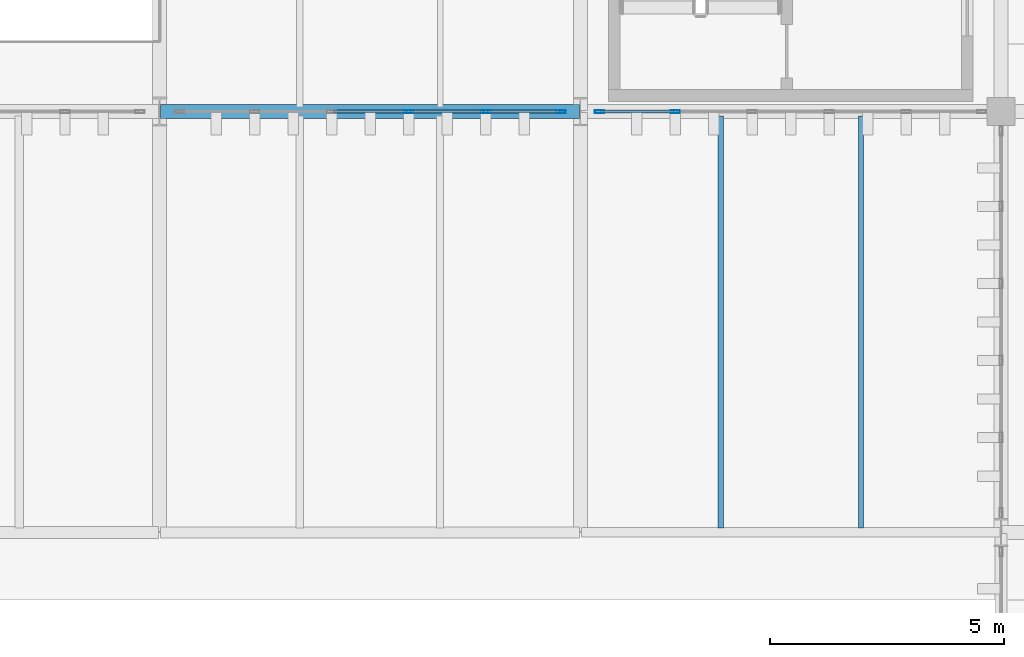
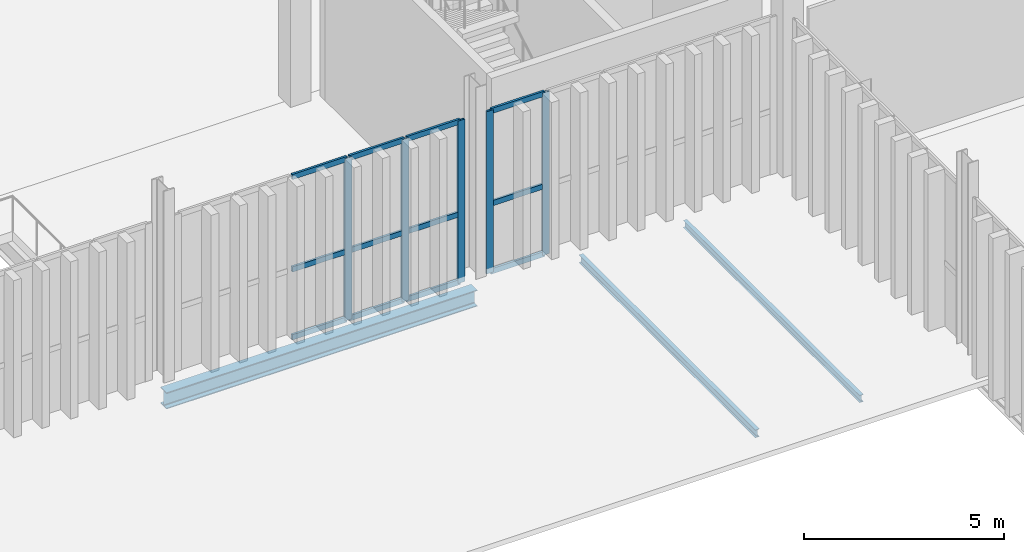
# One storey, part 70 of 211: 17 members, 3 beams, 2 elements without a shape of their own.
"""IFC4 building model written with IfcOpenShell, lengths in metres."""

from ifc_helpers import new_model, si_unit, direction, frame, origin, origin_2d, place, context, subcontext, project, spatial, hollow_rectangle, i_section, extrude, material, layer, layer_set, material_profile, profile_set, type_object, element, aggregate, save


model = new_model("IFC4")

# Units and contexts
model_context = context("Model", 3, precision=1e-05, world=origin(), true_north=direction((0.0, 1.0)))
body_context = subcontext(model_context, "Body", "Model", "MODEL_VIEW")
ifc_project = project(units=[si_unit("LENGTHUNIT", "METRE"), si_unit("AREAUNIT", "SQUARE_METRE"), si_unit("VOLUMEUNIT", "CUBIC_METRE"), si_unit("PLANEANGLEUNIT", "RADIAN"), si_unit("MASSUNIT", "GRAM", prefix="KILO")], contexts=[model_context])

# Site, building, storey
site_placement = place(None, origin())
site = spatial("IfcSite", under=ifc_project, at=site_placement, CompositionType="ELEMENT")
building_placement = place(site_placement, origin())
building = spatial("IfcBuilding", under=site, at=building_placement, Name="Barlavento Convention Centre", CompositionType="ELEMENT")
storey_placement = place(building_placement, frame((0.0, 0.0, 6.0)))
storey = spatial("IfcBuildingStorey", under=building, at=storey_placement, Name="L01", CompositionType="ELEMENT", Elevation=6.0)

# Curtain wall, members
ifc_material_1 = material(Name="Powder-coated aluminium and Low-E glass", Category="aluminium")
ifc_layer = layer(ifc_material_1, 0.195068359375)
ifc_layer_set = layer_set([ifc_layer], Name="ARC-CW-FOY-L01")
curtain_wall_type = type_object("IfcCurtainWallType", Name="ARC-CW-FOY-L01", PredefinedType="NOTDEFINED", material=ifc_layer_set)
curtain_wall_1_placement = place(storey_placement, origin())
curtain_wall_1 = element("IfcCurtainWall", 1, at=curtain_wall_1_placement, inside=storey, type_object=curtain_wall_type, Name="L01 unitised curtain wall CW03", PredefinedType="NOTDEFINED")
ifc_material_2 = material(Name="Powder-coated aluminium", Category="aluminium")
ifc_material_profile_1 = material_profile(ifc_material_2, hollow_rectangle(XDim=0.06494140625, YDim=0.199951171875, WallThickness=0.0048828125, at=origin_2d()), Name="AL-MULL 65x200x5")
ifc_profile_set_1 = profile_set([ifc_material_profile_1], Name="Powder-coated aluminium")
member_type_1 = type_object("IfcMemberType", Name="ARC-CWM-65X200", PredefinedType="MULLION", material=ifc_profile_set_1)
member_1_placement = place(storey_placement, frame((113.327880859375, 45.0, 0.0), z_axis=(0.0, 0.0, 1.0), x_axis=(0.0, 1.0, 0.0)))
member_1 = element("IfcMember", 2, at=member_1_placement, type_object=member_type_1, Name="CW03 mullion 4", PredefinedType="MULLION", context=body_context, shape_type="SweptSolid", body=[
    extrude(hollow_rectangle(XDim=0.06494140625, YDim=0.199951171875, WallThickness=0.0048828125, at=origin_2d()), origin(), (0.0, 0.0, 1.0), 4.949951171875),
])
member_2_placement = place(storey_placement, frame((114.97412109375, 45.0, 0.0), z_axis=(0.0, 0.0, 1.0), x_axis=(0.0, 1.0, 0.0)))
member_2 = element("IfcMember", 3, at=member_2_placement, type_object=member_type_1, Name="CW03 mullion 5", PredefinedType="MULLION", context=body_context, shape_type="SweptSolid", body=[
    extrude(hollow_rectangle(XDim=0.06494140625, YDim=0.199951171875, WallThickness=0.0048828125, at=origin_2d()), origin(), (0.0, 0.0, 1.0), 4.949951171875),
])
member_3_placement = place(storey_placement, frame((116.58740234375, 45.0, 0.0), z_axis=(0.0, 0.0, 1.0), x_axis=(0.0, 1.0, 0.0)))
member_3 = element("IfcMember", 4, at=member_3_placement, type_object=member_type_1, Name="CW03 mullion 6", PredefinedType="MULLION", context=body_context, shape_type="SweptSolid", body=[
    extrude(hollow_rectangle(XDim=0.06494140625, YDim=0.199951171875, WallThickness=0.0048828125, at=origin_2d()), origin(), (0.0, 0.0, 1.0), 4.949951171875),
])

curtain_wall_2_placement = place(storey_placement, origin())
curtain_wall_2 = element("IfcCurtainWall", 5, at=curtain_wall_2_placement, inside=storey, type_object=curtain_wall_type, Name="L01 unitised curtain wall CW03", PredefinedType="NOTDEFINED")
member_4_placement = place(storey_placement, frame((117.41259765625, 45.0, 0.0), z_axis=(0.0, 0.0, 1.0), x_axis=(0.0, 1.0, 0.0)))
member_4 = element("IfcMember", 6, at=member_4_placement, type_object=member_type_1, Name="CW03 mullion 1", PredefinedType="MULLION", context=body_context, shape_type="SweptSolid", body=[
    extrude(hollow_rectangle(XDim=0.06494140625, YDim=0.199951171875, WallThickness=0.0048828125, at=origin_2d()), origin(), (0.0, 0.0, 1.0), 4.949951171875),
])
member_5_placement = place(storey_placement, frame((119.028076171875, 45.0, 0.0), z_axis=(0.0, 0.0, 1.0), x_axis=(0.0, 1.0, 0.0)))
member_5 = element("IfcMember", 7, at=member_5_placement, type_object=member_type_1, Name="CW03 mullion 2", PredefinedType="MULLION", context=body_context, shape_type="SweptSolid", body=[
    extrude(hollow_rectangle(XDim=0.06494140625, YDim=0.199951171875, WallThickness=0.0048828125, at=origin_2d()), origin(), (0.0, 0.0, 1.0), 4.949951171875),
])

# Member
ifc_material_profile_2 = material_profile(ifc_material_2, hollow_rectangle(XDim=0.06494140625, YDim=0.159912109375, WallThickness=0.0048828125, at=origin_2d()), Name="AL-TRAN 65x160x5")
ifc_profile_set_2 = profile_set([ifc_material_profile_2], Name="Powder-coated aluminium")
member_type_2 = type_object("IfcMemberType", Name="ARC-CWT-65X160", PredefinedType="USERDEFINED", material=ifc_profile_set_2)
member_6_placement = place(storey_placement, frame((111.714599609375, 45.0, 0.032470703125), z_axis=(1.0, 0.0, 0.0), x_axis=(0.0, 1.0, 0.0)))
member_6 = element("IfcMember", 8, at=member_6_placement, type_object=member_type_2, Name="CW03 transom 3.1", ObjectType="TRANSOM", PredefinedType="USERDEFINED", context=body_context, shape_type="SweptSolid", body=[
    extrude(hollow_rectangle(XDim=0.06494140625, YDim=0.159912109375, WallThickness=0.0048828125, at=origin_2d()), origin(), (0.0, 0.0, 1.0), 1.580810546875),
])

member_7_placement = place(storey_placement, frame((111.714599609375, 45.0, 2.10009765625), z_axis=(1.0, 0.0, 0.0), x_axis=(0.0, 1.0, 0.0)))
member_7 = element("IfcMember", 9, at=member_7_placement, type_object=member_type_2, Name="CW03 transom 3.2", ObjectType="TRANSOM", PredefinedType="USERDEFINED", context=body_context, shape_type="SweptSolid", body=[
    extrude(hollow_rectangle(XDim=0.06494140625, YDim=0.159912109375, WallThickness=0.0048828125, at=origin_2d()), origin(), (0.0, 0.0, 1.0), 1.580810546875),
])

member_8_placement = place(storey_placement, frame((111.714599609375, 45.0, 4.91748046875), z_axis=(1.0, 0.0, 0.0), x_axis=(0.0, 1.0, 0.0)))
member_8 = element("IfcMember", 10, at=member_8_placement, type_object=member_type_2, Name="CW03 transom 3.3", ObjectType="TRANSOM", PredefinedType="USERDEFINED", context=body_context, shape_type="SweptSolid", body=[
    extrude(hollow_rectangle(XDim=0.06494140625, YDim=0.159912109375, WallThickness=0.0048828125, at=origin_2d()), origin(), (0.0, 0.0, 1.0), 1.580810546875),
])

member_9_placement = place(storey_placement, frame((113.360595703125, 45.0, 0.032470703125), z_axis=(1.0, 0.0, 0.0), x_axis=(0.0, 1.0, 0.0)))
member_9 = element("IfcMember", 11, at=member_9_placement, type_object=member_type_2, Name="CW03 transom 4.1", ObjectType="TRANSOM", PredefinedType="USERDEFINED", context=body_context, shape_type="SweptSolid", body=[
    extrude(hollow_rectangle(XDim=0.06494140625, YDim=0.159912109375, WallThickness=0.0048828125, at=origin_2d()), origin(), (0.0, 0.0, 1.0), 1.580810546875),
])

member_10_placement = place(storey_placement, frame((113.360595703125, 45.0, 2.10009765625), z_axis=(1.0, 0.0, 0.0), x_axis=(0.0, 1.0, 0.0)))
member_10 = element("IfcMember", 12, at=member_10_placement, type_object=member_type_2, Name="CW03 transom 4.2", ObjectType="TRANSOM", PredefinedType="USERDEFINED", context=body_context, shape_type="SweptSolid", body=[
    extrude(hollow_rectangle(XDim=0.06494140625, YDim=0.159912109375, WallThickness=0.0048828125, at=origin_2d()), origin(), (0.0, 0.0, 1.0), 1.580810546875),
])

member_11_placement = place(storey_placement, frame((113.360595703125, 45.0, 4.91748046875), z_axis=(1.0, 0.0, 0.0), x_axis=(0.0, 1.0, 0.0)))
member_11 = element("IfcMember", 13, at=member_11_placement, type_object=member_type_2, Name="CW03 transom 4.3", ObjectType="TRANSOM", PredefinedType="USERDEFINED", context=body_context, shape_type="SweptSolid", body=[
    extrude(hollow_rectangle(XDim=0.06494140625, YDim=0.159912109375, WallThickness=0.0048828125, at=origin_2d()), origin(), (0.0, 0.0, 1.0), 1.580810546875),
])

member_12_placement = place(storey_placement, frame((115.006591796875, 45.0, 0.032470703125), z_axis=(1.0, 0.0, 0.0), x_axis=(0.0, 1.0, 0.0)))
member_12 = element("IfcMember", 14, at=member_12_placement, type_object=member_type_2, Name="CW03 transom 5.1", ObjectType="TRANSOM", PredefinedType="USERDEFINED", context=body_context, shape_type="SweptSolid", body=[
    extrude(hollow_rectangle(XDim=0.06494140625, YDim=0.159912109375, WallThickness=0.0048828125, at=origin_2d()), origin(), (0.0, 0.0, 1.0), 1.54833984375),
])

member_13_placement = place(storey_placement, frame((115.006591796875, 45.0, 2.10009765625), z_axis=(1.0, 0.0, 0.0), x_axis=(0.0, 1.0, 0.0)))
member_13 = element("IfcMember", 15, at=member_13_placement, type_object=member_type_2, Name="CW03 transom 5.2", ObjectType="TRANSOM", PredefinedType="USERDEFINED", context=body_context, shape_type="SweptSolid", body=[
    extrude(hollow_rectangle(XDim=0.06494140625, YDim=0.159912109375, WallThickness=0.0048828125, at=origin_2d()), origin(), (0.0, 0.0, 1.0), 1.54833984375),
])

member_14_placement = place(storey_placement, frame((115.006591796875, 45.0, 4.91748046875), z_axis=(1.0, 0.0, 0.0), x_axis=(0.0, 1.0, 0.0)))
member_14 = element("IfcMember", 16, at=member_14_placement, type_object=member_type_2, Name="CW03 transom 5.3", ObjectType="TRANSOM", PredefinedType="USERDEFINED", context=body_context, shape_type="SweptSolid", body=[
    extrude(hollow_rectangle(XDim=0.06494140625, YDim=0.159912109375, WallThickness=0.0048828125, at=origin_2d()), origin(), (0.0, 0.0, 1.0), 1.54833984375),
])

aggregate(curtain_wall_1, [member_1, member_2, member_3, member_6, member_7, member_8, member_9, member_10, member_11, member_12, member_13, member_14])

member_15_placement = place(storey_placement, frame((117.445068359375, 45.0, 0.032470703125), z_axis=(1.0, 0.0, 0.0), x_axis=(0.0, 1.0, 0.0)))
member_15 = element("IfcMember", 17, at=member_15_placement, type_object=member_type_2, Name="CW03 transom 1.1", ObjectType="TRANSOM", PredefinedType="USERDEFINED", context=body_context, shape_type="SweptSolid", body=[
    extrude(hollow_rectangle(XDim=0.06494140625, YDim=0.159912109375, WallThickness=0.0048828125, at=origin_2d()), origin(), (0.0, 0.0, 1.0), 1.550537109375),
])

member_16_placement = place(storey_placement, frame((117.445068359375, 45.0, 2.10009765625), z_axis=(1.0, 0.0, 0.0), x_axis=(0.0, 1.0, 0.0)))
member_16 = element("IfcMember", 18, at=member_16_placement, type_object=member_type_2, Name="CW03 transom 1.2", ObjectType="TRANSOM", PredefinedType="USERDEFINED", context=body_context, shape_type="SweptSolid", body=[
    extrude(hollow_rectangle(XDim=0.06494140625, YDim=0.159912109375, WallThickness=0.0048828125, at=origin_2d()), origin(), (0.0, 0.0, 1.0), 1.550537109375),
])

member_17_placement = place(storey_placement, frame((117.445068359375, 45.0, 4.91748046875), z_axis=(1.0, 0.0, 0.0), x_axis=(0.0, 1.0, 0.0)))
member_17 = element("IfcMember", 19, at=member_17_placement, type_object=member_type_2, Name="CW03 transom 1.3", ObjectType="TRANSOM", PredefinedType="USERDEFINED", context=body_context, shape_type="SweptSolid", body=[
    extrude(hollow_rectangle(XDim=0.06494140625, YDim=0.159912109375, WallThickness=0.0048828125, at=origin_2d()), origin(), (0.0, 0.0, 1.0), 1.550537109375),
])

aggregate(curtain_wall_2, [member_4, member_5, member_15, member_16, member_17])

# Beams
ifc_material_3 = material(Name="Steel S355", Category="steel")
ifc_material_profile_3 = material_profile(ifc_material_3, i_section(OverallWidth=0.110107421875, OverallDepth=0.219970703125, WebThickness=0.005859375, FlangeThickness=0.00927734375, FilletRadius=0.011962890625, at=origin_2d()), Name="IPE 220")
ifc_profile_set_3 = profile_set([ifc_material_profile_3], Name="Steel S355")
beam_type_1 = type_object("IfcBeamType", Name="STR-BM-JST-IPE220", PredefinedType="JOIST", material=ifc_profile_set_3)
beam_1_placement = place(storey_placement, frame((123.0, 36.094970703125, -0.39990234375), z_axis=(0.0, 1.0, 0.0), x_axis=(-1.0, 0.0, 0.0)))
element("IfcBeam", 20, at=beam_1_placement, inside=storey, type_object=beam_type_1, Name="L01 composite floor joist SJ10", PredefinedType="JOIST", context=body_context, shape_type="SweptSolid", body=[
    extrude(i_section(OverallWidth=0.110107421875, OverallDepth=0.219970703125, WebThickness=0.005859375, FlangeThickness=0.00927734375, FilletRadius=0.011962890625, at=origin_2d()), origin(), (0.0, 0.0, 1.0), 8.81005859375),
])
ifc_material_profile_4 = material_profile(ifc_material_3, i_section(OverallWidth=0.1201171875, OverallDepth=0.239990234375, WebThickness=0.006103515625, FlangeThickness=0.009765625, FilletRadius=0.014892578125, at=origin_2d()), Name="IPE 240")
ifc_profile_set_4 = profile_set([ifc_material_profile_4], Name="Steel S355")
beam_type_2 = type_object("IfcBeamType", Name="STR-BM-JST-IPE240", PredefinedType="JOIST", material=ifc_profile_set_4)
beam_2_placement = place(storey_placement, frame((120.0, 36.094970703125, -0.409912109375), z_axis=(0.0, 1.0, 0.0), x_axis=(-1.0, 0.0, 0.0)))
element("IfcBeam", 21, at=beam_2_placement, inside=storey, type_object=beam_type_2, Name="L01 composite floor joist SJ09", PredefinedType="JOIST", context=body_context, shape_type="SweptSolid", body=[
    extrude(i_section(OverallWidth=0.1201171875, OverallDepth=0.239990234375, WebThickness=0.006103515625, FlangeThickness=0.009765625, FilletRadius=0.014892578125, at=origin_2d()), origin(), (0.0, 0.0, 1.0), 8.81005859375),
])
ifc_material_profile_5 = material_profile(ifc_material_3, i_section(OverallWidth=0.300048828125, OverallDepth=0.5, WebThickness=0.014404296875, FlangeThickness=0.028076171875, FilletRadius=0.027099609375, at=origin_2d()), Name="HEB 500")
ifc_profile_set_5 = profile_set([ifc_material_profile_5], Name="Steel S355")
beam_type_3 = type_object("IfcBeamType", Name="STR-BM-PRI-HEB500", PredefinedType="BEAM", material=ifc_profile_set_5)
beam_3_placement = place(storey_placement, frame((108.02001953125, 45.0, -0.5400390625), z_axis=(1.0, 0.0, 0.0), x_axis=(0.0, 1.0, 0.0)))
element("IfcBeam", 22, at=beam_3_placement, inside=storey, type_object=beam_type_3, Name="L01 primary girder BG09", PredefinedType="BEAM", context=body_context, shape_type="SweptSolid", body=[
    extrude(i_section(OverallWidth=0.300048828125, OverallDepth=0.5, WebThickness=0.014404296875, FlangeThickness=0.028076171875, FilletRadius=0.027099609375, at=origin_2d()), origin(), (0.0, 0.0, 1.0), 8.9599609375),
])

save(model, "model.ifc")
